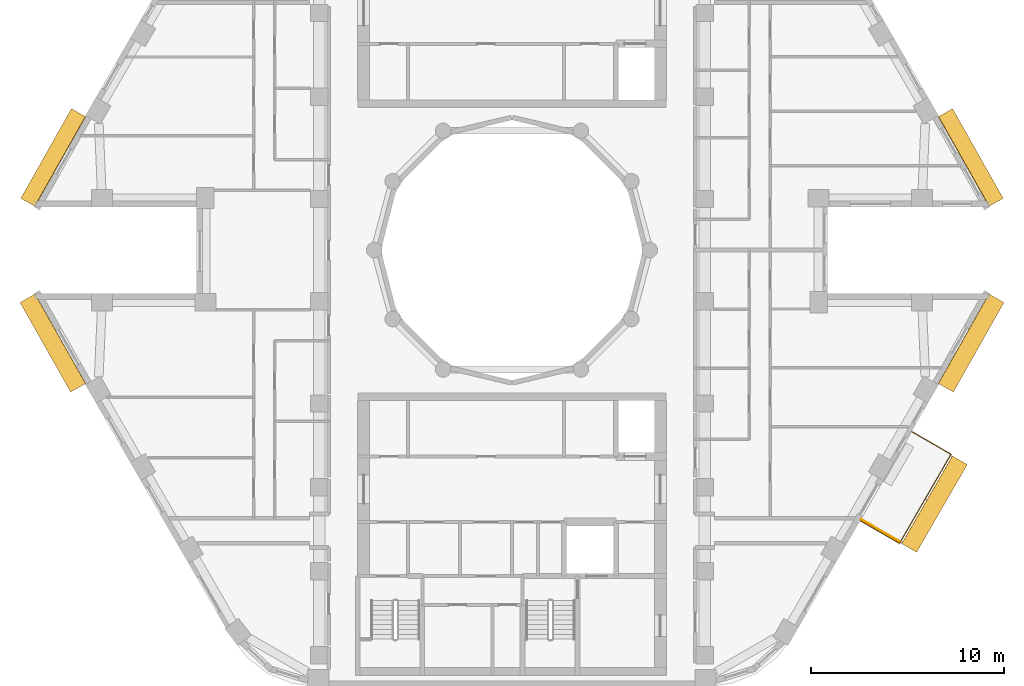
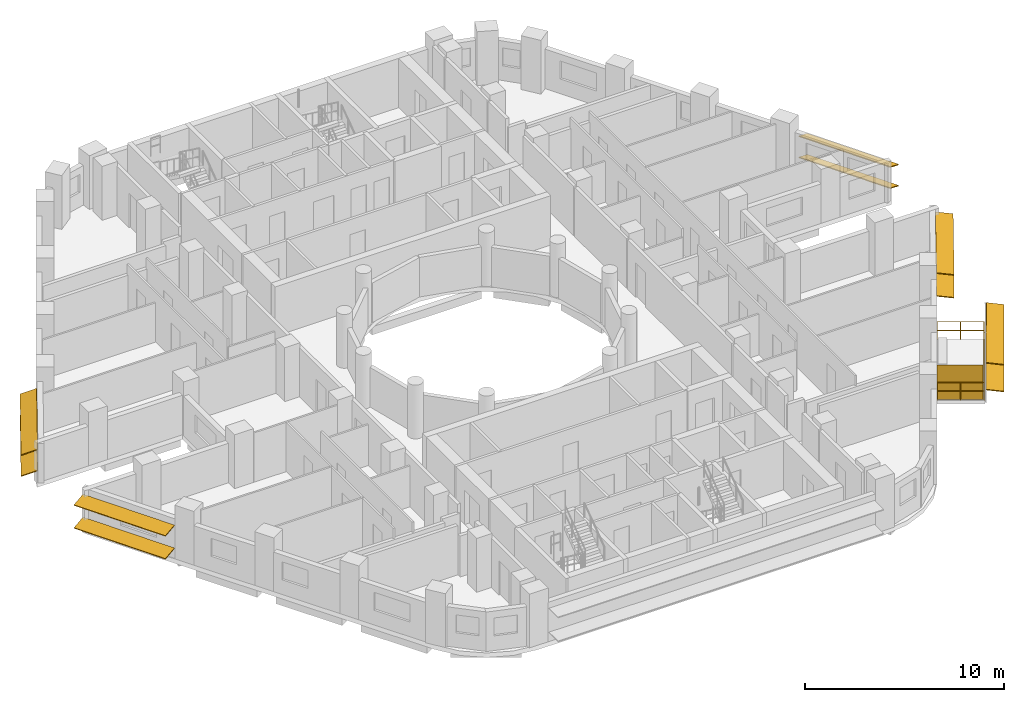
# One storey, part 11 of 12: 11 shading devices, 1 railing.
"""IFC4 building model written with IfcOpenShell, lengths in metres."""

from ifc_helpers import new_model, si_unit, direction, frame, origin, origin_2d, place, context, subcontext, project, spatial, rectangle, circle, extrude, material, layer, layer_set, material_profile, profile_set, type_object, element, save


model = new_model("IFC4")

# Units and contexts
model_context = context("Model", 3, precision=1e-05, world=origin(), true_north=direction((0.0, 1.0)))
body_context = subcontext(model_context, "Body", "Model", "MODEL_VIEW")
ifc_project = project(units=[si_unit("LENGTHUNIT", "METRE"), si_unit("AREAUNIT", "SQUARE_METRE"), si_unit("VOLUMEUNIT", "CUBIC_METRE"), si_unit("PLANEANGLEUNIT", "RADIAN"), si_unit("MASSUNIT", "GRAM", prefix="KILO")], contexts=[model_context])

# Site, building, storey
site_placement = place(None, origin())
site = spatial("IfcSite", under=ifc_project, at=site_placement, CompositionType="ELEMENT")
building_placement = place(site_placement, origin())
building = spatial("IfcBuilding", under=site, at=building_placement, Name="Nakaniwa Court", CompositionType="ELEMENT")
storey_placement = place(building_placement, frame((0.0, 0.0, 236.10009765625)))
storey = spatial("IfcBuildingStorey", under=building, at=storey_placement, Name="L61", CompositionType="ELEMENT", Elevation=236.10009765625)

# Railing
ifc_material_1 = material(Name="Black powder-coated steel flat bar balustrade S275", Category="steel")
railing_type = type_object("IfcRailingType", Name="Black metal balcony guard 1100", PredefinedType="GUARDRAIL", material=ifc_material_1)
railing_placement = place(storey_placement, frame((98.056396484375, 65.974609375, -0.050048828125)))
element("IfcRailing", 1, at=railing_placement, inside=storey, type_object=railing_type, Name="L61 balcony guard 01", PredefinedType="GUARDRAIL", context=body_context, shape_type="SweptSolid", body=[
    extrude(circle(Radius=0.02392578125, at=origin_2d()), frame((0.0, 0.0, 1.076171875), z_axis=(0.866025363618, -0.50000006957, 0.0), x_axis=(0.50000006957, 0.866025363618, 0.0)), (0.0, 0.0, 1.0), 2.35986328125),
    extrude(circle(Radius=0.02392578125, at=origin_2d()), frame((0.0, 0.0, 0.550048828125), z_axis=(0.866025363618, -0.50000006957, 0.0), x_axis=(0.50000006957, 0.866025363618, 0.0)), (0.0, 0.0, 1.0), 2.35986328125),
    extrude(circle(Radius=0.02392578125, at=origin_2d()), frame((2.043701171875, -1.179931640625, 1.076171875), z_axis=(0.500022176014, 0.866012600078, 0.0), x_axis=(-0.866012600078, 0.500022176014, 0.0)), (0.0, 0.0, 1.0), 5.335205078125),
    extrude(circle(Radius=0.02392578125, at=origin_2d()), frame((2.043701171875, -1.179931640625, 0.550048828125), z_axis=(0.500022176014, 0.866012600078, 0.0), x_axis=(-0.866012600078, 0.500022176014, 0.0)), (0.0, 0.0, 1.0), 5.335205078125),
    extrude(circle(Radius=0.02392578125, at=origin_2d()), frame((4.71142578125, 3.4404296875, 1.076171875), z_axis=(-0.866025363618, 0.50000006957, 0.0), x_axis=(-0.50000006957, -0.866025363618, 0.0)), (0.0, 0.0, 1.0), 2.35986328125),
    extrude(circle(Radius=0.02392578125, at=origin_2d()), frame((4.71142578125, 3.4404296875, 0.550048828125), z_axis=(-0.866025363618, 0.50000006957, 0.0), x_axis=(-0.50000006957, -0.866025363618, 0.0)), (0.0, 0.0, 1.0), 2.35986328125),
    extrude(circle(Radius=0.02099609375, at=origin_2d()), origin(), (0.0, 0.0, 1.0), 1.052001953125),
    extrude(circle(Radius=0.02099609375, at=origin_2d()), frame((1.02197265625, -0.58984375, 0.0)), (0.0, 0.0, 1.0), 1.052001953125),
    extrude(circle(Radius=0.02099609375, at=origin_2d()), frame((2.043701171875, -1.179931640625, 0.0)), (0.0, 0.0, 1.0), 1.052001953125),
    extrude(circle(Radius=0.02099609375, at=origin_2d()), frame((2.5771484375, -0.255859375, 0.0)), (0.0, 0.0, 1.0), 1.052001953125),
    extrude(circle(Radius=0.02099609375, at=origin_2d()), frame((3.11083984375, 0.668212890625, 0.0)), (0.0, 0.0, 1.0), 1.052001953125),
    extrude(circle(Radius=0.02099609375, at=origin_2d()), frame((3.644287109375, 1.59228515625, 0.0)), (0.0, 0.0, 1.0), 1.052001953125),
    extrude(circle(Radius=0.02099609375, at=origin_2d()), frame((4.177978515625, 2.516357421875, 0.0)), (0.0, 0.0, 1.0), 1.052001953125),
    extrude(circle(Radius=0.02099609375, at=origin_2d()), frame((4.71142578125, 3.4404296875, 0.0)), (0.0, 0.0, 1.0), 1.052001953125),
    extrude(circle(Radius=0.02099609375, at=origin_2d()), frame((3.689453125, 4.0302734375, 0.0)), (0.0, 0.0, 1.0), 1.052001953125),
    extrude(circle(Radius=0.02099609375, at=origin_2d()), frame((2.667724609375, 4.620361328125, 0.0)), (0.0, 0.0, 1.0), 1.052001953125),
])

# Shading devices
ifc_material_2 = material(Name="Black powder-coated aluminium slat screen", Category="aluminium")
ifc_layer = layer(ifc_material_2, 0.0400390625)
ifc_layer_set = layer_set([ifc_layer], Name="Black powder-coated aluminium slat screen")
shading_device_type_1 = type_object("IfcShadingDeviceType", Name="Koshi screen black metal", PredefinedType="USERDEFINED", material=ifc_layer_set)
shading_device_placement = place(storey_placement, frame((99.0966796875, 65.466552734375, -0.050048828125), z_axis=(0.0, 0.0, 1.0), x_axis=(0.500016626402, 0.866015804314, 0.0)))
element("IfcShadingDevice", 2, at=shading_device_placement, inside=storey, type_object=shading_device_type_1, Name="L61 balcony SCREEN 01 W", ObjectType="KOSHI SCREEN", PredefinedType="USERDEFINED", context=body_context, shape_type="SweptSolid", body=[
    extrude(rectangle(XDim=0.0400390625, YDim=2.31005859375, at=origin_2d()), origin(), (0.0, 0.0, 1.0), 2.10009765625),
])
ifc_material_3 = material(Name="Perforated charcoal ceramic louvre blade")
ifc_material_profile = material_profile(ifc_material_3, rectangle(XDim=0.89990234375, YDim=0.050048828125, at=origin_2d()), Name="Perforated ceramic louvre blade")
ifc_profile_set = profile_set([ifc_material_profile], Name="Perforated charcoal ceramic louvre blade")
shading_device_type_2 = type_object("IfcShadingDeviceType", Name="Perforated ceramic louvre blade", PredefinedType="JALOUSIE", material=ifc_profile_set)
for number, where, z_axis, x_axis, name in (
    (3, (100.595947265625, 64.5546875, 0.5), (0.500021380676, 0.866013059294, 0.0), (-0.858604197519, 0.495743628448, 0.13052619222), "L61 perforated ceramic louvre blade 01 1"),
    (4, (100.595947265625, 64.5546875, 2.14990234375), (0.500021380676, 0.866013059294, 0.0), (-0.858604197519, 0.495743628448, 0.13052619222), "L61 perforated ceramic louvre blade 01 2"),
):
    element("IfcShadingDevice", number, at=place(storey_placement, frame(where, z_axis=z_axis, x_axis=x_axis)), inside=storey, type_object=shading_device_type_2, Name=name, PredefinedType="JALOUSIE", context=body_context, shape_type="SweptSolid", body=[
        extrude(rectangle(XDim=0.89990234375, YDim=0.050048828125, at=origin_2d()), origin(), (0.0, 0.0, 1.0), 5.255126953125),
    ])
for number, where, z_axis, x_axis, name in (
    (5, (105.103759765625, 82.480224609375, 0.5498046875), (-0.492088911474, 0.870544946114, 0.0), (-0.804858877011, -0.454958851288, 0.38107037635), "L61 perforated ceramic louvre blade w02 1"),
    (6, (105.103759765625, 82.480224609375, 1.84521484375), (-0.492088911474, 0.870544946114, 0.0), (-0.804858877011, -0.454958851288, 0.38107037635), "L61 perforated ceramic louvre blade w02 2"),
    (7, (57.5224609375, 87.126220703125, 0.5498046875), (-0.492088911474, -0.870544946114, 0.0), (0.804858877011, -0.454958851288, 0.38107037635), "L61 perforated ceramic louvre blade w14 1"),
    (8, (57.5224609375, 87.126220703125, 1.84521484375), (-0.492088911474, -0.870544946114, 0.0), (0.804858877011, -0.454958851288, 0.38107037635), "L61 perforated ceramic louvre blade w14 2"),
):
    element("IfcShadingDevice", number, at=place(storey_placement, frame(where, z_axis=z_axis, x_axis=x_axis)), inside=storey, type_object=shading_device_type_2, Name=name, PredefinedType="JALOUSIE", context=body_context, shape_type="SweptSolid", body=[
        extrude(rectangle(XDim=0.89990234375, YDim=0.050048828125, at=origin_2d()), origin(), (0.0, 0.0, 1.0), 5.3369140625),
    ])
for number, where, z_axis, x_axis, name in (
    (9, (54.87548828125, 77.508056640625, 0.5498046875), (0.492108509021, -0.870533868008, 0.0), (0.862886698285, 0.487785601632, 0.132256390257), "L61 perforated ceramic louvre blade w20 1"),
    (10, (54.87548828125, 77.508056640625, 1.95556640625), (0.492108509021, -0.870533868008, 0.0), (0.862886698285, 0.487785601632, 0.132256390257), "L61 perforated ceramic louvre blade w20 2"),
    (11, (102.498291015625, 72.8623046875, 0.5498046875), (0.492108509021, 0.870533868008, 0.0), (-0.862886698285, 0.487785601632, 0.132256390257), "L61 perforated ceramic louvre blade w32 1"),
    (12, (102.498291015625, 72.8623046875, 1.95556640625), (0.492108509021, 0.870533868008, 0.0), (-0.862886698285, 0.487785601632, 0.132256390257), "L61 perforated ceramic louvre blade w32 2"),
):
    element("IfcShadingDevice", number, at=place(storey_placement, frame(where, z_axis=z_axis, x_axis=x_axis)), inside=storey, type_object=shading_device_type_2, Name=name, PredefinedType="JALOUSIE", context=body_context, shape_type="SweptSolid", body=[
        extrude(rectangle(XDim=0.89990234375, YDim=0.050048828125, at=origin_2d()), origin(), (0.0, 0.0, 1.0), 5.336669921875),
    ])

save(model, "model.ifc")
